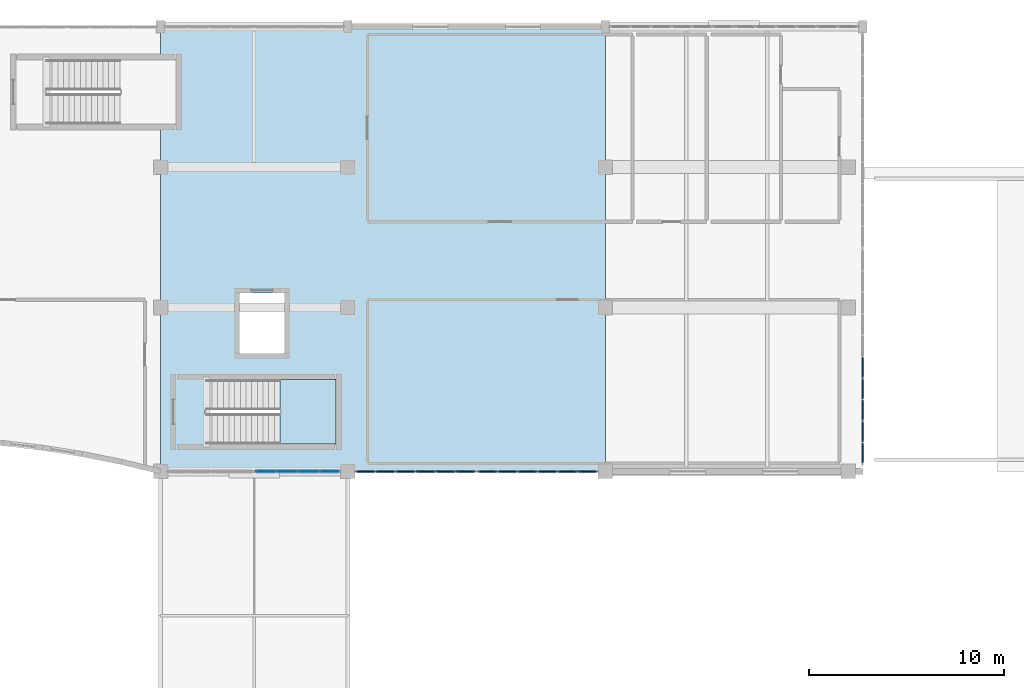
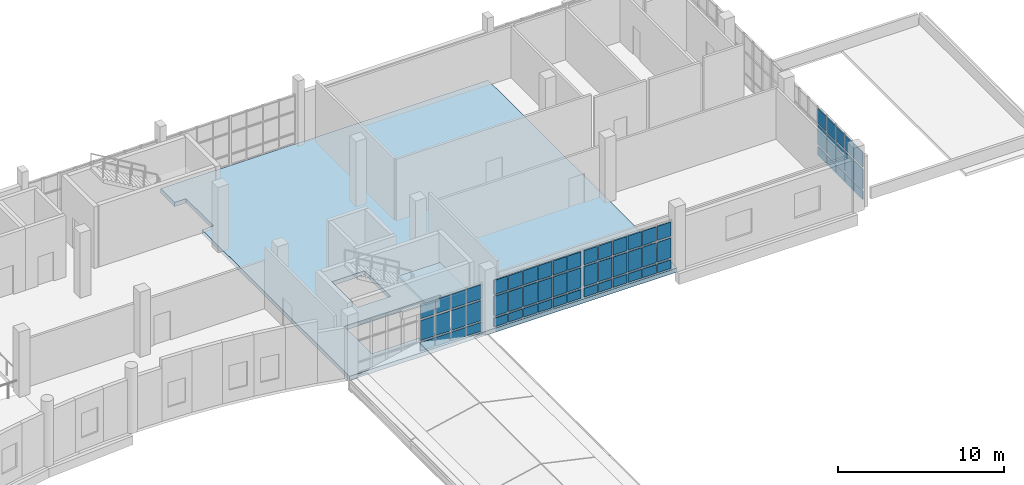
# One storey, part 77 of 106: 63 plates, 2 slabs, 5 elements without a shape of their own.
"""IFC4 building model written with IfcOpenShell, lengths in metres."""

from ifc_helpers import new_model, si_unit, direction, frame, origin, origin_2d, place, context, subcontext, project, spatial, polyline, rectangle, outline, extrude, material, layer, layer_set, type_object, element, aggregate, save


model = new_model("IFC4")

# Units and contexts
model_context = context("Model", 3, precision=1e-05, world=origin(), true_north=direction((0.0, 1.0)))
body_context = subcontext(model_context, "Body", "Model", "MODEL_VIEW")
ifc_project = project(units=[si_unit("LENGTHUNIT", "METRE"), si_unit("AREAUNIT", "SQUARE_METRE"), si_unit("VOLUMEUNIT", "CUBIC_METRE"), si_unit("PLANEANGLEUNIT", "RADIAN"), si_unit("MASSUNIT", "GRAM", prefix="KILO")], contexts=[model_context])

# Site, building, storey
site_placement = place(None, origin())
site = spatial("IfcSite", under=ifc_project, at=site_placement, CompositionType="ELEMENT")
building_placement = place(site_placement, origin())
building = spatial("IfcBuilding", under=site, at=building_placement, Name="Kisaragi Civic Commons", CompositionType="ELEMENT")
storey_placement = place(building_placement, frame((0.0, 0.0, 4.800048828125)))
storey = spatial("IfcBuildingStorey", under=building, at=storey_placement, Name="L01", CompositionType="ELEMENT", Elevation=4.800048828125)

# Curtain wall, plates
ifc_material_1 = material(Name="Thermally broken anodized aluminium and low-E double glazing", Category="aluminium")
ifc_layer_1 = layer(ifc_material_1, 0.179931640625, Name="Thermally broken anodized aluminium and low-E double glazing", Category="aluminium")
ifc_layer_set_1 = layer_set([ifc_layer_1], Name="Thermally broken anodized aluminium and low-E double glazing")
curtain_wall_type = type_object("IfcCurtainWallType", Name="CW-01", PredefinedType="NOTDEFINED", material=ifc_layer_set_1)
curtain_wall_1_placement = place(storey_placement, origin())
curtain_wall_1 = element("IfcCurtainWall", 1, at=curtain_wall_1_placement, inside=storey, type_object=curtain_wall_type, Name="L01 curtain wall CW-01 CW-V4-L01-075", PredefinedType="NOTDEFINED")
ifc_layer_2 = layer(ifc_material_1, 0.0439453125, Name="Thermally broken anodized aluminium and low-E double glazing", Category="aluminium")
ifc_layer_set_2 = layer_set([ifc_layer_2], Name="Thermally broken anodized aluminium and low-E double glazing")
plate_type_1 = type_object("IfcPlateType", Name="CWP-01", PredefinedType="CURTAIN_PANEL", material=ifc_layer_set_2)
plate_1_placement = place(storey_placement, frame((132.24755859375, 96.0, 0.14013671875), z_axis=(0.0, 0.0, 1.0), x_axis=(-1.0, 0.0, 0.0)))
plate_1 = element("IfcPlate", 2, at=plate_1_placement, type_object=plate_type_1, Name="CW-01 panel 1.1", PredefinedType="CURTAIN_PANEL", context=body_context, shape_type="SweptSolid", body=[
    extrude(rectangle(XDim=0.9951171875, YDim=0.0439453125, at=origin_2d()), origin(), (0.0, 0.0, 1.0), 0.639892578125),
])
plate_2_placement = place(storey_placement, frame((132.24755859375, 96.0, 0.919921875), z_axis=(0.0, 0.0, 1.0), x_axis=(-1.0, 0.0, 0.0)))
plate_2 = element("IfcPlate", 3, at=plate_2_placement, type_object=plate_type_1, Name="CW-01 panel 1.2", PredefinedType="CURTAIN_PANEL", context=body_context, shape_type="SweptSolid", body=[
    extrude(rectangle(XDim=0.9951171875, YDim=0.0439453125, at=origin_2d()), origin(), (0.0, 0.0, 1.0), 1.4599609375),
])
plate_3_placement = place(storey_placement, frame((132.24755859375, 96.0, 2.52001953125), z_axis=(0.0, 0.0, 1.0), x_axis=(-1.0, 0.0, 0.0)))
plate_3 = element("IfcPlate", 4, at=plate_3_placement, type_object=plate_type_1, Name="CW-01 panel 1.3", PredefinedType="CURTAIN_PANEL", context=body_context, shape_type="SweptSolid", body=[
    extrude(rectangle(XDim=0.9951171875, YDim=0.0439453125, at=origin_2d()), origin(), (0.0, 0.0, 1.0), 1.044921875),
])
plate_4_placement = place(storey_placement, frame((131.171142578125, 96.0, 0.14013671875), z_axis=(0.0, 0.0, 1.0), x_axis=(-1.0, 0.0, 0.0)))
plate_4 = element("IfcPlate", 5, at=plate_4_placement, type_object=plate_type_1, Name="CW-01 panel 2.1", PredefinedType="CURTAIN_PANEL", context=body_context, shape_type="SweptSolid", body=[
    extrude(rectangle(XDim=1.027587890625, YDim=0.0439453125, at=origin_2d()), origin(), (0.0, 0.0, 1.0), 0.639892578125),
])
plate_5_placement = place(storey_placement, frame((131.171142578125, 96.0, 0.919921875), z_axis=(0.0, 0.0, 1.0), x_axis=(-1.0, 0.0, 0.0)))
plate_5 = element("IfcPlate", 6, at=plate_5_placement, type_object=plate_type_1, Name="CW-01 panel 2.2", PredefinedType="CURTAIN_PANEL", context=body_context, shape_type="SweptSolid", body=[
    extrude(rectangle(XDim=1.027587890625, YDim=0.0439453125, at=origin_2d()), origin(), (0.0, 0.0, 1.0), 1.4599609375),
])
plate_6_placement = place(storey_placement, frame((131.171142578125, 96.0, 2.52001953125), z_axis=(0.0, 0.0, 1.0), x_axis=(-1.0, 0.0, 0.0)))
plate_6 = element("IfcPlate", 7, at=plate_6_placement, type_object=plate_type_1, Name="CW-01 panel 2.3", PredefinedType="CURTAIN_PANEL", context=body_context, shape_type="SweptSolid", body=[
    extrude(rectangle(XDim=1.027587890625, YDim=0.0439453125, at=origin_2d()), origin(), (0.0, 0.0, 1.0), 1.044921875),
])
plate_7_placement = place(storey_placement, frame((130.078857421875, 96.0, 0.14013671875), z_axis=(0.0, 0.0, 1.0), x_axis=(-1.0, 0.0, 0.0)))
plate_7 = element("IfcPlate", 8, at=plate_7_placement, type_object=plate_type_1, Name="CW-01 panel 3.1", PredefinedType="CURTAIN_PANEL", context=body_context, shape_type="SweptSolid", body=[
    extrude(rectangle(XDim=1.027587890625, YDim=0.0439453125, at=origin_2d()), origin(), (0.0, 0.0, 1.0), 0.639892578125),
])
plate_8_placement = place(storey_placement, frame((130.078857421875, 96.0, 0.919921875), z_axis=(0.0, 0.0, 1.0), x_axis=(-1.0, 0.0, 0.0)))
plate_8 = element("IfcPlate", 9, at=plate_8_placement, type_object=plate_type_1, Name="CW-01 panel 3.2", PredefinedType="CURTAIN_PANEL", context=body_context, shape_type="SweptSolid", body=[
    extrude(rectangle(XDim=1.027587890625, YDim=0.0439453125, at=origin_2d()), origin(), (0.0, 0.0, 1.0), 1.4599609375),
])
plate_9_placement = place(storey_placement, frame((130.078857421875, 96.0, 2.52001953125), z_axis=(0.0, 0.0, 1.0), x_axis=(-1.0, 0.0, 0.0)))
plate_9 = element("IfcPlate", 10, at=plate_9_placement, type_object=plate_type_1, Name="CW-01 panel 3.3", PredefinedType="CURTAIN_PANEL", context=body_context, shape_type="SweptSolid", body=[
    extrude(rectangle(XDim=1.027587890625, YDim=0.0439453125, at=origin_2d()), origin(), (0.0, 0.0, 1.0), 1.044921875),
])
plate_10_placement = place(storey_placement, frame((129.00244140625, 96.0, 0.14013671875), z_axis=(0.0, 0.0, 1.0), x_axis=(-1.0, 0.0, 0.0)))
plate_10 = element("IfcPlate", 11, at=plate_10_placement, type_object=plate_type_1, Name="CW-01 panel 4.1", PredefinedType="CURTAIN_PANEL", context=body_context, shape_type="SweptSolid", body=[
    extrude(rectangle(XDim=0.9951171875, YDim=0.0439453125, at=origin_2d()), origin(), (0.0, 0.0, 1.0), 0.639892578125),
])
plate_11_placement = place(storey_placement, frame((129.00244140625, 96.0, 0.919921875), z_axis=(0.0, 0.0, 1.0), x_axis=(-1.0, 0.0, 0.0)))
plate_11 = element("IfcPlate", 12, at=plate_11_placement, type_object=plate_type_1, Name="CW-01 panel 4.2", PredefinedType="CURTAIN_PANEL", context=body_context, shape_type="SweptSolid", body=[
    extrude(rectangle(XDim=0.9951171875, YDim=0.0439453125, at=origin_2d()), origin(), (0.0, 0.0, 1.0), 1.4599609375),
])
plate_12_placement = place(storey_placement, frame((129.00244140625, 96.0, 2.52001953125), z_axis=(0.0, 0.0, 1.0), x_axis=(-1.0, 0.0, 0.0)))
plate_12 = element("IfcPlate", 13, at=plate_12_placement, type_object=plate_type_1, Name="CW-01 panel 4.3", PredefinedType="CURTAIN_PANEL", context=body_context, shape_type="SweptSolid", body=[
    extrude(rectangle(XDim=0.9951171875, YDim=0.0439453125, at=origin_2d()), origin(), (0.0, 0.0, 1.0), 1.044921875),
])
aggregate(curtain_wall_1, [plate_1, plate_2, plate_3, plate_4, plate_5, plate_6, plate_7, plate_8, plate_9, plate_10, plate_11, plate_12])

curtain_wall_2_placement = place(storey_placement, origin())
curtain_wall_2 = element("IfcCurtainWall", 14, at=curtain_wall_2_placement, inside=storey, type_object=curtain_wall_type, Name="L01 curtain wall CW-01 CW-V4-L01-072", PredefinedType="NOTDEFINED")
ifc_layer_3 = layer(ifc_material_1, 0.06201171875, Name="Thermally broken anodized aluminium and low-E double glazing", Category="aluminium")
ifc_layer_set_3 = layer_set([ifc_layer_3], Name="Thermally broken anodized aluminium and low-E double glazing")
plate_type_2 = type_object("IfcPlateType", Name="CWP-16", PredefinedType="CURTAIN_PANEL", material=ifc_layer_set_3)
plate_13_placement = place(storey_placement, frame((159.60009765625, 101.330078125, 0.14013671875), z_axis=(0.0, 0.0, 1.0), x_axis=(0.0, -1.0, 0.0)))
plate_13 = element("IfcPlate", 15, at=plate_13_placement, type_object=plate_type_2, Name="CW-01 panel 6.1", PredefinedType="CURTAIN_PANEL", context=body_context, shape_type="SweptSolid", body=[
    extrude(rectangle(XDim=1.034912109375, YDim=0.06201171875, at=origin_2d()), origin(), (0.0, 0.0, 1.0), 0.639892578125),
])
plate_14_placement = place(storey_placement, frame((159.60009765625, 101.330078125, 0.919921875), z_axis=(0.0, 0.0, 1.0), x_axis=(0.0, -1.0, 0.0)))
plate_14 = element("IfcPlate", 16, at=plate_14_placement, type_object=plate_type_2, Name="CW-01 panel 6.2", PredefinedType="CURTAIN_PANEL", context=body_context, shape_type="SweptSolid", body=[
    extrude(rectangle(XDim=1.034912109375, YDim=0.06201171875, at=origin_2d()), origin(), (0.0, 0.0, 1.0), 1.4599609375),
])
plate_15_placement = place(storey_placement, frame((159.60009765625, 101.330078125, 2.52001953125), z_axis=(0.0, 0.0, 1.0), x_axis=(0.0, -1.0, 0.0)))
plate_15 = element("IfcPlate", 17, at=plate_15_placement, type_object=plate_type_2, Name="CW-01 panel 6.3", PredefinedType="CURTAIN_PANEL", context=body_context, shape_type="SweptSolid", body=[
    extrude(rectangle(XDim=1.034912109375, YDim=0.06201171875, at=origin_2d()), origin(), (0.0, 0.0, 1.0), 1.094970703125),
])
plate_16_placement = place(storey_placement, frame((159.60009765625, 100.22998046875, 0.14013671875), z_axis=(0.0, 0.0, 1.0), x_axis=(0.0, -1.0, 0.0)))
plate_16 = element("IfcPlate", 18, at=plate_16_placement, type_object=plate_type_2, Name="CW-01 panel 7.1", PredefinedType="CURTAIN_PANEL", context=body_context, shape_type="SweptSolid", body=[
    extrude(rectangle(XDim=1.034912109375, YDim=0.06201171875, at=origin_2d()), origin(), (0.0, 0.0, 1.0), 0.639892578125),
])
plate_17_placement = place(storey_placement, frame((159.60009765625, 100.22998046875, 0.919921875), z_axis=(0.0, 0.0, 1.0), x_axis=(0.0, -1.0, 0.0)))
plate_17 = element("IfcPlate", 19, at=plate_17_placement, type_object=plate_type_2, Name="CW-01 panel 7.2", PredefinedType="CURTAIN_PANEL", context=body_context, shape_type="SweptSolid", body=[
    extrude(rectangle(XDim=1.034912109375, YDim=0.06201171875, at=origin_2d()), origin(), (0.0, 0.0, 1.0), 1.4599609375),
])
plate_18_placement = place(storey_placement, frame((159.60009765625, 100.22998046875, 2.52001953125), z_axis=(0.0, 0.0, 1.0), x_axis=(0.0, -1.0, 0.0)))
plate_18 = element("IfcPlate", 20, at=plate_18_placement, type_object=plate_type_2, Name="CW-01 panel 7.3", PredefinedType="CURTAIN_PANEL", context=body_context, shape_type="SweptSolid", body=[
    extrude(rectangle(XDim=1.034912109375, YDim=0.06201171875, at=origin_2d()), origin(), (0.0, 0.0, 1.0), 1.094970703125),
])
plate_19_placement = place(storey_placement, frame((159.60009765625, 99.1298828125, 0.14013671875), z_axis=(0.0, 0.0, 1.0), x_axis=(0.0, -1.0, 0.0)))
plate_19 = element("IfcPlate", 21, at=plate_19_placement, type_object=plate_type_2, Name="CW-01 panel 8.1", PredefinedType="CURTAIN_PANEL", context=body_context, shape_type="SweptSolid", body=[
    extrude(rectangle(XDim=1.034912109375, YDim=0.06201171875, at=origin_2d()), origin(), (0.0, 0.0, 1.0), 0.639892578125),
])
plate_20_placement = place(storey_placement, frame((159.60009765625, 99.1298828125, 0.919921875), z_axis=(0.0, 0.0, 1.0), x_axis=(0.0, -1.0, 0.0)))
plate_20 = element("IfcPlate", 22, at=plate_20_placement, type_object=plate_type_2, Name="CW-01 panel 8.2", PredefinedType="CURTAIN_PANEL", context=body_context, shape_type="SweptSolid", body=[
    extrude(rectangle(XDim=1.034912109375, YDim=0.06201171875, at=origin_2d()), origin(), (0.0, 0.0, 1.0), 1.4599609375),
])
plate_21_placement = place(storey_placement, frame((159.60009765625, 99.1298828125, 2.52001953125), z_axis=(0.0, 0.0, 1.0), x_axis=(0.0, -1.0, 0.0)))
plate_21 = element("IfcPlate", 23, at=plate_21_placement, type_object=plate_type_2, Name="CW-01 panel 8.3", PredefinedType="CURTAIN_PANEL", context=body_context, shape_type="SweptSolid", body=[
    extrude(rectangle(XDim=1.034912109375, YDim=0.06201171875, at=origin_2d()), origin(), (0.0, 0.0, 1.0), 1.094970703125),
])
plate_22_placement = place(storey_placement, frame((159.60009765625, 98.030029296875, 0.14013671875), z_axis=(0.0, 0.0, 1.0), x_axis=(0.0, -1.0, 0.0)))
plate_22 = element("IfcPlate", 24, at=plate_22_placement, type_object=plate_type_2, Name="CW-01 panel 9.1", PredefinedType="CURTAIN_PANEL", context=body_context, shape_type="SweptSolid", body=[
    extrude(rectangle(XDim=1.034912109375, YDim=0.06201171875, at=origin_2d()), origin(), (0.0, 0.0, 1.0), 0.639892578125),
])
plate_23_placement = place(storey_placement, frame((159.60009765625, 98.030029296875, 0.919921875), z_axis=(0.0, 0.0, 1.0), x_axis=(0.0, -1.0, 0.0)))
plate_23 = element("IfcPlate", 25, at=plate_23_placement, type_object=plate_type_2, Name="CW-01 panel 9.2", PredefinedType="CURTAIN_PANEL", context=body_context, shape_type="SweptSolid", body=[
    extrude(rectangle(XDim=1.034912109375, YDim=0.06201171875, at=origin_2d()), origin(), (0.0, 0.0, 1.0), 1.4599609375),
])
plate_24_placement = place(storey_placement, frame((159.60009765625, 98.030029296875, 2.52001953125), z_axis=(0.0, 0.0, 1.0), x_axis=(0.0, -1.0, 0.0)))
plate_24 = element("IfcPlate", 26, at=plate_24_placement, type_object=plate_type_2, Name="CW-01 panel 9.3", PredefinedType="CURTAIN_PANEL", context=body_context, shape_type="SweptSolid", body=[
    extrude(rectangle(XDim=1.034912109375, YDim=0.06201171875, at=origin_2d()), origin(), (0.0, 0.0, 1.0), 1.094970703125),
])
plate_25_placement = place(storey_placement, frame((159.60009765625, 96.9462890625, 0.14013671875), z_axis=(0.0, 0.0, 1.0), x_axis=(0.0, -1.0, 0.0)))
plate_25 = element("IfcPlate", 27, at=plate_25_placement, type_object=plate_type_2, Name="CW-01 panel 10.1", PredefinedType="CURTAIN_PANEL", context=body_context, shape_type="SweptSolid", body=[
    extrude(rectangle(XDim=1.00244140625, YDim=0.06201171875, at=origin_2d()), origin(), (0.0, 0.0, 1.0), 0.639892578125),
])
plate_26_placement = place(storey_placement, frame((159.60009765625, 96.9462890625, 0.919921875), z_axis=(0.0, 0.0, 1.0), x_axis=(0.0, -1.0, 0.0)))
plate_26 = element("IfcPlate", 28, at=plate_26_placement, type_object=plate_type_2, Name="CW-01 panel 10.2", PredefinedType="CURTAIN_PANEL", context=body_context, shape_type="SweptSolid", body=[
    extrude(rectangle(XDim=1.00244140625, YDim=0.06201171875, at=origin_2d()), origin(), (0.0, 0.0, 1.0), 1.4599609375),
])
plate_27_placement = place(storey_placement, frame((159.60009765625, 96.9462890625, 2.52001953125), z_axis=(0.0, 0.0, 1.0), x_axis=(0.0, -1.0, 0.0)))
plate_27 = element("IfcPlate", 29, at=plate_27_placement, type_object=plate_type_2, Name="CW-01 panel 10.3", PredefinedType="CURTAIN_PANEL", context=body_context, shape_type="SweptSolid", body=[
    extrude(rectangle(XDim=1.00244140625, YDim=0.06201171875, at=origin_2d()), origin(), (0.0, 0.0, 1.0), 1.094970703125),
])
aggregate(curtain_wall_2, [plate_13, plate_14, plate_15, plate_16, plate_17, plate_18, plate_19, plate_20, plate_21, plate_22, plate_23, plate_24, plate_25, plate_26, plate_27])

curtain_wall_3_placement = place(storey_placement, origin())
curtain_wall_3 = element("IfcCurtainWall", 30, at=curtain_wall_3_placement, inside=storey, type_object=curtain_wall_type, Name="L01 curtain wall CW-01 CW-V4-L01-073", PredefinedType="NOTDEFINED")
ifc_layer_4 = layer(ifc_material_1, 0.070068359375, Name="Thermally broken anodized aluminium and low-E double glazing", Category="aluminium")
ifc_layer_set_4 = layer_set([ifc_layer_4], Name="Thermally broken anodized aluminium and low-E double glazing")
plate_type_3 = type_object("IfcPlateType", Name="CWP-17", PredefinedType="CURTAIN_PANEL", material=ifc_layer_set_4)
plate_28_placement = place(storey_placement, frame((145.4794921875, 96.0, 0.14013671875), z_axis=(0.0, 0.0, 1.0), x_axis=(-1.0, 0.0, 0.0)))
plate_28 = element("IfcPlate", 31, at=plate_28_placement, type_object=plate_type_3, Name="CW-01 panel 1.1", PredefinedType="CURTAIN_PANEL", context=body_context, shape_type="SweptSolid", body=[
    extrude(rectangle(XDim=0.930908203125, YDim=0.070068359375, at=origin_2d()), origin(), (0.0, 0.0, 1.0), 0.639892578125),
])
plate_29_placement = place(storey_placement, frame((145.4794921875, 96.0, 0.919921875), z_axis=(0.0, 0.0, 1.0), x_axis=(-1.0, 0.0, 0.0)))
plate_29 = element("IfcPlate", 32, at=plate_29_placement, type_object=plate_type_3, Name="CW-01 panel 1.2", PredefinedType="CURTAIN_PANEL", context=body_context, shape_type="SweptSolid", body=[
    extrude(rectangle(XDim=0.930908203125, YDim=0.070068359375, at=origin_2d()), origin(), (0.0, 0.0, 1.0), 1.4599609375),
])
plate_30_placement = place(storey_placement, frame((145.4794921875, 96.0, 2.52001953125), z_axis=(0.0, 0.0, 1.0), x_axis=(-1.0, 0.0, 0.0)))
plate_30 = element("IfcPlate", 33, at=plate_30_placement, type_object=plate_type_3, Name="CW-01 panel 1.3", PredefinedType="CURTAIN_PANEL", context=body_context, shape_type="SweptSolid", body=[
    extrude(rectangle(XDim=0.930908203125, YDim=0.070068359375, at=origin_2d()), origin(), (0.0, 0.0, 1.0), 1.044921875),
])
plate_31_placement = place(storey_placement, frame((144.467529296875, 96.0, 0.14013671875), z_axis=(0.0, 0.0, 1.0), x_axis=(-1.0, 0.0, 0.0)))
plate_31 = element("IfcPlate", 34, at=plate_31_placement, type_object=plate_type_3, Name="CW-01 panel 2.1", PredefinedType="CURTAIN_PANEL", context=body_context, shape_type="SweptSolid", body=[
    extrude(rectangle(XDim=0.96337890625, YDim=0.070068359375, at=origin_2d()), origin(), (0.0, 0.0, 1.0), 0.639892578125),
])
plate_32_placement = place(storey_placement, frame((144.467529296875, 96.0, 0.919921875), z_axis=(0.0, 0.0, 1.0), x_axis=(-1.0, 0.0, 0.0)))
plate_32 = element("IfcPlate", 35, at=plate_32_placement, type_object=plate_type_3, Name="CW-01 panel 2.2", PredefinedType="CURTAIN_PANEL", context=body_context, shape_type="SweptSolid", body=[
    extrude(rectangle(XDim=0.96337890625, YDim=0.070068359375, at=origin_2d()), origin(), (0.0, 0.0, 1.0), 1.4599609375),
])
plate_33_placement = place(storey_placement, frame((144.467529296875, 96.0, 2.52001953125), z_axis=(0.0, 0.0, 1.0), x_axis=(-1.0, 0.0, 0.0)))
plate_33 = element("IfcPlate", 36, at=plate_33_placement, type_object=plate_type_3, Name="CW-01 panel 2.3", PredefinedType="CURTAIN_PANEL", context=body_context, shape_type="SweptSolid", body=[
    extrude(rectangle(XDim=0.96337890625, YDim=0.070068359375, at=origin_2d()), origin(), (0.0, 0.0, 1.0), 1.044921875),
])
plate_34_placement = place(storey_placement, frame((143.439208984375, 96.0, 0.14013671875), z_axis=(0.0, 0.0, 1.0), x_axis=(-1.0, 0.0, 0.0)))
plate_34 = element("IfcPlate", 37, at=plate_34_placement, type_object=plate_type_3, Name="CW-01 panel 3.1", PredefinedType="CURTAIN_PANEL", context=body_context, shape_type="SweptSolid", body=[
    extrude(rectangle(XDim=0.96337890625, YDim=0.070068359375, at=origin_2d()), origin(), (0.0, 0.0, 1.0), 0.639892578125),
])
plate_35_placement = place(storey_placement, frame((143.439208984375, 96.0, 0.919921875), z_axis=(0.0, 0.0, 1.0), x_axis=(-1.0, 0.0, 0.0)))
plate_35 = element("IfcPlate", 38, at=plate_35_placement, type_object=plate_type_3, Name="CW-01 panel 3.2", PredefinedType="CURTAIN_PANEL", context=body_context, shape_type="SweptSolid", body=[
    extrude(rectangle(XDim=0.96337890625, YDim=0.070068359375, at=origin_2d()), origin(), (0.0, 0.0, 1.0), 1.4599609375),
])
plate_36_placement = place(storey_placement, frame((143.439208984375, 96.0, 2.52001953125), z_axis=(0.0, 0.0, 1.0), x_axis=(-1.0, 0.0, 0.0)))
plate_36 = element("IfcPlate", 39, at=plate_36_placement, type_object=plate_type_3, Name="CW-01 panel 3.3", PredefinedType="CURTAIN_PANEL", context=body_context, shape_type="SweptSolid", body=[
    extrude(rectangle(XDim=0.96337890625, YDim=0.070068359375, at=origin_2d()), origin(), (0.0, 0.0, 1.0), 1.044921875),
])
plate_37_placement = place(storey_placement, frame((142.410888671875, 96.0, 0.14013671875), z_axis=(0.0, 0.0, 1.0), x_axis=(-1.0, 0.0, 0.0)))
plate_37 = element("IfcPlate", 40, at=plate_37_placement, type_object=plate_type_3, Name="CW-01 panel 4.1", PredefinedType="CURTAIN_PANEL", context=body_context, shape_type="SweptSolid", body=[
    extrude(rectangle(XDim=0.96337890625, YDim=0.070068359375, at=origin_2d()), origin(), (0.0, 0.0, 1.0), 0.639892578125),
])
plate_38_placement = place(storey_placement, frame((142.410888671875, 96.0, 0.919921875), z_axis=(0.0, 0.0, 1.0), x_axis=(-1.0, 0.0, 0.0)))
plate_38 = element("IfcPlate", 41, at=plate_38_placement, type_object=plate_type_3, Name="CW-01 panel 4.2", PredefinedType="CURTAIN_PANEL", context=body_context, shape_type="SweptSolid", body=[
    extrude(rectangle(XDim=0.96337890625, YDim=0.070068359375, at=origin_2d()), origin(), (0.0, 0.0, 1.0), 1.4599609375),
])
plate_39_placement = place(storey_placement, frame((142.410888671875, 96.0, 2.52001953125), z_axis=(0.0, 0.0, 1.0), x_axis=(-1.0, 0.0, 0.0)))
plate_39 = element("IfcPlate", 42, at=plate_39_placement, type_object=plate_type_3, Name="CW-01 panel 4.3", PredefinedType="CURTAIN_PANEL", context=body_context, shape_type="SweptSolid", body=[
    extrude(rectangle(XDim=0.96337890625, YDim=0.070068359375, at=origin_2d()), origin(), (0.0, 0.0, 1.0), 1.044921875),
])
plate_40_placement = place(storey_placement, frame((141.382568359375, 96.0, 0.14013671875), z_axis=(0.0, 0.0, 1.0), x_axis=(-1.0, 0.0, 0.0)))
plate_40 = element("IfcPlate", 43, at=plate_40_placement, type_object=plate_type_3, Name="CW-01 panel 5.1", PredefinedType="CURTAIN_PANEL", context=body_context, shape_type="SweptSolid", body=[
    extrude(rectangle(XDim=0.96337890625, YDim=0.070068359375, at=origin_2d()), origin(), (0.0, 0.0, 1.0), 0.639892578125),
])
plate_41_placement = place(storey_placement, frame((141.382568359375, 96.0, 0.919921875), z_axis=(0.0, 0.0, 1.0), x_axis=(-1.0, 0.0, 0.0)))
plate_41 = element("IfcPlate", 44, at=plate_41_placement, type_object=plate_type_3, Name="CW-01 panel 5.2", PredefinedType="CURTAIN_PANEL", context=body_context, shape_type="SweptSolid", body=[
    extrude(rectangle(XDim=0.96337890625, YDim=0.070068359375, at=origin_2d()), origin(), (0.0, 0.0, 1.0), 1.4599609375),
])
plate_42_placement = place(storey_placement, frame((141.382568359375, 96.0, 2.52001953125), z_axis=(0.0, 0.0, 1.0), x_axis=(-1.0, 0.0, 0.0)))
plate_42 = element("IfcPlate", 45, at=plate_42_placement, type_object=plate_type_3, Name="CW-01 panel 5.3", PredefinedType="CURTAIN_PANEL", context=body_context, shape_type="SweptSolid", body=[
    extrude(rectangle(XDim=0.96337890625, YDim=0.070068359375, at=origin_2d()), origin(), (0.0, 0.0, 1.0), 1.044921875),
])
plate_43_placement = place(storey_placement, frame((140.370361328125, 96.0, 0.14013671875), z_axis=(0.0, 0.0, 1.0), x_axis=(-1.0, 0.0, 0.0)))
plate_43 = element("IfcPlate", 46, at=plate_43_placement, type_object=plate_type_3, Name="CW-01 panel 6.1", PredefinedType="CURTAIN_PANEL", context=body_context, shape_type="SweptSolid", body=[
    extrude(rectangle(XDim=0.930908203125, YDim=0.070068359375, at=origin_2d()), origin(), (0.0, 0.0, 1.0), 0.639892578125),
])
plate_44_placement = place(storey_placement, frame((140.370361328125, 96.0, 0.919921875), z_axis=(0.0, 0.0, 1.0), x_axis=(-1.0, 0.0, 0.0)))
plate_44 = element("IfcPlate", 47, at=plate_44_placement, type_object=plate_type_3, Name="CW-01 panel 6.2", PredefinedType="CURTAIN_PANEL", context=body_context, shape_type="SweptSolid", body=[
    extrude(rectangle(XDim=0.930908203125, YDim=0.070068359375, at=origin_2d()), origin(), (0.0, 0.0, 1.0), 1.4599609375),
])
plate_45_placement = place(storey_placement, frame((140.370361328125, 96.0, 2.52001953125), z_axis=(0.0, 0.0, 1.0), x_axis=(-1.0, 0.0, 0.0)))
plate_45 = element("IfcPlate", 48, at=plate_45_placement, type_object=plate_type_3, Name="CW-01 panel 6.3", PredefinedType="CURTAIN_PANEL", context=body_context, shape_type="SweptSolid", body=[
    extrude(rectangle(XDim=0.930908203125, YDim=0.070068359375, at=origin_2d()), origin(), (0.0, 0.0, 1.0), 1.044921875),
])
aggregate(curtain_wall_3, [plate_28, plate_29, plate_30, plate_31, plate_32, plate_33, plate_34, plate_35, plate_36, plate_37, plate_38, plate_39, plate_40, plate_41, plate_42, plate_43, plate_44, plate_45])

curtain_wall_4_placement = place(storey_placement, origin())
curtain_wall_4 = element("IfcCurtainWall", 49, at=curtain_wall_4_placement, inside=storey, type_object=curtain_wall_type, Name="L01 curtain wall CW-01 CW-V4-L01-074", PredefinedType="NOTDEFINED")
ifc_layer_5 = layer(ifc_material_1, 0.077880859375, Name="Thermally broken anodized aluminium and low-E double glazing", Category="aluminium")
ifc_layer_set_5 = layer_set([ifc_layer_5], Name="Thermally broken anodized aluminium and low-E double glazing")
plate_type_4 = type_object("IfcPlateType", Name="CWP-18", PredefinedType="CURTAIN_PANEL", material=ifc_layer_set_5)
plate_46_placement = place(storey_placement, frame((139.2294921875, 96.0, 0.14013671875), z_axis=(0.0, 0.0, 1.0), x_axis=(-1.0, 0.0, 0.0)))
plate_46 = element("IfcPlate", 50, at=plate_46_placement, type_object=plate_type_4, Name="CW-01 panel 1.1", PredefinedType="CURTAIN_PANEL", context=body_context, shape_type="SweptSolid", body=[
    extrude(rectangle(XDim=0.930908203125, YDim=0.077880859375, at=origin_2d()), origin(), (0.0, 0.0, 1.0), 0.639892578125),
])
plate_47_placement = place(storey_placement, frame((139.2294921875, 96.0, 0.919921875), z_axis=(0.0, 0.0, 1.0), x_axis=(-1.0, 0.0, 0.0)))
plate_47 = element("IfcPlate", 51, at=plate_47_placement, type_object=plate_type_4, Name="CW-01 panel 1.2", PredefinedType="CURTAIN_PANEL", context=body_context, shape_type="SweptSolid", body=[
    extrude(rectangle(XDim=0.930908203125, YDim=0.077880859375, at=origin_2d()), origin(), (0.0, 0.0, 1.0), 1.4599609375),
])
plate_48_placement = place(storey_placement, frame((139.2294921875, 96.0, 2.52001953125), z_axis=(0.0, 0.0, 1.0), x_axis=(-1.0, 0.0, 0.0)))
plate_48 = element("IfcPlate", 52, at=plate_48_placement, type_object=plate_type_4, Name="CW-01 panel 1.3", PredefinedType="CURTAIN_PANEL", context=body_context, shape_type="SweptSolid", body=[
    extrude(rectangle(XDim=0.930908203125, YDim=0.077880859375, at=origin_2d()), origin(), (0.0, 0.0, 1.0), 1.044921875),
])
plate_49_placement = place(storey_placement, frame((138.217529296875, 96.0, 0.14013671875), z_axis=(0.0, 0.0, 1.0), x_axis=(-1.0, 0.0, 0.0)))
plate_49 = element("IfcPlate", 53, at=plate_49_placement, type_object=plate_type_4, Name="CW-01 panel 2.1", PredefinedType="CURTAIN_PANEL", context=body_context, shape_type="SweptSolid", body=[
    extrude(rectangle(XDim=0.96337890625, YDim=0.077880859375, at=origin_2d()), origin(), (0.0, 0.0, 1.0), 0.639892578125),
])
plate_50_placement = place(storey_placement, frame((138.217529296875, 96.0, 0.919921875), z_axis=(0.0, 0.0, 1.0), x_axis=(-1.0, 0.0, 0.0)))
plate_50 = element("IfcPlate", 54, at=plate_50_placement, type_object=plate_type_4, Name="CW-01 panel 2.2", PredefinedType="CURTAIN_PANEL", context=body_context, shape_type="SweptSolid", body=[
    extrude(rectangle(XDim=0.96337890625, YDim=0.077880859375, at=origin_2d()), origin(), (0.0, 0.0, 1.0), 1.4599609375),
])
plate_51_placement = place(storey_placement, frame((138.217529296875, 96.0, 2.52001953125), z_axis=(0.0, 0.0, 1.0), x_axis=(-1.0, 0.0, 0.0)))
plate_51 = element("IfcPlate", 55, at=plate_51_placement, type_object=plate_type_4, Name="CW-01 panel 2.3", PredefinedType="CURTAIN_PANEL", context=body_context, shape_type="SweptSolid", body=[
    extrude(rectangle(XDim=0.96337890625, YDim=0.077880859375, at=origin_2d()), origin(), (0.0, 0.0, 1.0), 1.044921875),
])
plate_52_placement = place(storey_placement, frame((137.189208984375, 96.0, 0.14013671875), z_axis=(0.0, 0.0, 1.0), x_axis=(-1.0, 0.0, 0.0)))
plate_52 = element("IfcPlate", 56, at=plate_52_placement, type_object=plate_type_4, Name="CW-01 panel 3.1", PredefinedType="CURTAIN_PANEL", context=body_context, shape_type="SweptSolid", body=[
    extrude(rectangle(XDim=0.96337890625, YDim=0.077880859375, at=origin_2d()), origin(), (0.0, 0.0, 1.0), 0.639892578125),
])
plate_53_placement = place(storey_placement, frame((137.189208984375, 96.0, 0.919921875), z_axis=(0.0, 0.0, 1.0), x_axis=(-1.0, 0.0, 0.0)))
plate_53 = element("IfcPlate", 57, at=plate_53_placement, type_object=plate_type_4, Name="CW-01 panel 3.2", PredefinedType="CURTAIN_PANEL", context=body_context, shape_type="SweptSolid", body=[
    extrude(rectangle(XDim=0.96337890625, YDim=0.077880859375, at=origin_2d()), origin(), (0.0, 0.0, 1.0), 1.4599609375),
])
plate_54_placement = place(storey_placement, frame((137.189208984375, 96.0, 2.52001953125), z_axis=(0.0, 0.0, 1.0), x_axis=(-1.0, 0.0, 0.0)))
plate_54 = element("IfcPlate", 58, at=plate_54_placement, type_object=plate_type_4, Name="CW-01 panel 3.3", PredefinedType="CURTAIN_PANEL", context=body_context, shape_type="SweptSolid", body=[
    extrude(rectangle(XDim=0.96337890625, YDim=0.077880859375, at=origin_2d()), origin(), (0.0, 0.0, 1.0), 1.044921875),
])
plate_55_placement = place(storey_placement, frame((136.160888671875, 96.0, 0.14013671875), z_axis=(0.0, 0.0, 1.0), x_axis=(-1.0, 0.0, 0.0)))
plate_55 = element("IfcPlate", 59, at=plate_55_placement, type_object=plate_type_4, Name="CW-01 panel 4.1", PredefinedType="CURTAIN_PANEL", context=body_context, shape_type="SweptSolid", body=[
    extrude(rectangle(XDim=0.96337890625, YDim=0.077880859375, at=origin_2d()), origin(), (0.0, 0.0, 1.0), 0.639892578125),
])
plate_56_placement = place(storey_placement, frame((136.160888671875, 96.0, 0.919921875), z_axis=(0.0, 0.0, 1.0), x_axis=(-1.0, 0.0, 0.0)))
plate_56 = element("IfcPlate", 60, at=plate_56_placement, type_object=plate_type_4, Name="CW-01 panel 4.2", PredefinedType="CURTAIN_PANEL", context=body_context, shape_type="SweptSolid", body=[
    extrude(rectangle(XDim=0.96337890625, YDim=0.077880859375, at=origin_2d()), origin(), (0.0, 0.0, 1.0), 1.4599609375),
])
plate_57_placement = place(storey_placement, frame((136.160888671875, 96.0, 2.52001953125), z_axis=(0.0, 0.0, 1.0), x_axis=(-1.0, 0.0, 0.0)))
plate_57 = element("IfcPlate", 61, at=plate_57_placement, type_object=plate_type_4, Name="CW-01 panel 4.3", PredefinedType="CURTAIN_PANEL", context=body_context, shape_type="SweptSolid", body=[
    extrude(rectangle(XDim=0.96337890625, YDim=0.077880859375, at=origin_2d()), origin(), (0.0, 0.0, 1.0), 1.044921875),
])
plate_58_placement = place(storey_placement, frame((135.132568359375, 96.0, 0.14013671875), z_axis=(0.0, 0.0, 1.0), x_axis=(-1.0, 0.0, 0.0)))
plate_58 = element("IfcPlate", 62, at=plate_58_placement, type_object=plate_type_4, Name="CW-01 panel 5.1", PredefinedType="CURTAIN_PANEL", context=body_context, shape_type="SweptSolid", body=[
    extrude(rectangle(XDim=0.96337890625, YDim=0.077880859375, at=origin_2d()), origin(), (0.0, 0.0, 1.0), 0.639892578125),
])
plate_59_placement = place(storey_placement, frame((135.132568359375, 96.0, 0.919921875), z_axis=(0.0, 0.0, 1.0), x_axis=(-1.0, 0.0, 0.0)))
plate_59 = element("IfcPlate", 63, at=plate_59_placement, type_object=plate_type_4, Name="CW-01 panel 5.2", PredefinedType="CURTAIN_PANEL", context=body_context, shape_type="SweptSolid", body=[
    extrude(rectangle(XDim=0.96337890625, YDim=0.077880859375, at=origin_2d()), origin(), (0.0, 0.0, 1.0), 1.4599609375),
])
plate_60_placement = place(storey_placement, frame((135.132568359375, 96.0, 2.52001953125), z_axis=(0.0, 0.0, 1.0), x_axis=(-1.0, 0.0, 0.0)))
plate_60 = element("IfcPlate", 64, at=plate_60_placement, type_object=plate_type_4, Name="CW-01 panel 5.3", PredefinedType="CURTAIN_PANEL", context=body_context, shape_type="SweptSolid", body=[
    extrude(rectangle(XDim=0.96337890625, YDim=0.077880859375, at=origin_2d()), origin(), (0.0, 0.0, 1.0), 1.044921875),
])
plate_61_placement = place(storey_placement, frame((134.120361328125, 96.0, 0.14013671875), z_axis=(0.0, 0.0, 1.0), x_axis=(-1.0, 0.0, 0.0)))
plate_61 = element("IfcPlate", 65, at=plate_61_placement, type_object=plate_type_4, Name="CW-01 panel 6.1", PredefinedType="CURTAIN_PANEL", context=body_context, shape_type="SweptSolid", body=[
    extrude(rectangle(XDim=0.930908203125, YDim=0.077880859375, at=origin_2d()), origin(), (0.0, 0.0, 1.0), 0.639892578125),
])
plate_62_placement = place(storey_placement, frame((134.120361328125, 96.0, 0.919921875), z_axis=(0.0, 0.0, 1.0), x_axis=(-1.0, 0.0, 0.0)))
plate_62 = element("IfcPlate", 66, at=plate_62_placement, type_object=plate_type_4, Name="CW-01 panel 6.2", PredefinedType="CURTAIN_PANEL", context=body_context, shape_type="SweptSolid", body=[
    extrude(rectangle(XDim=0.930908203125, YDim=0.077880859375, at=origin_2d()), origin(), (0.0, 0.0, 1.0), 1.4599609375),
])
plate_63_placement = place(storey_placement, frame((134.120361328125, 96.0, 2.52001953125), z_axis=(0.0, 0.0, 1.0), x_axis=(-1.0, 0.0, 0.0)))
plate_63 = element("IfcPlate", 67, at=plate_63_placement, type_object=plate_type_4, Name="CW-01 panel 6.3", PredefinedType="CURTAIN_PANEL", context=body_context, shape_type="SweptSolid", body=[
    extrude(rectangle(XDim=0.930908203125, YDim=0.077880859375, at=origin_2d()), origin(), (0.0, 0.0, 1.0), 1.044921875),
])
aggregate(curtain_wall_4, [plate_46, plate_47, plate_48, plate_49, plate_50, plate_51, plate_52, plate_53, plate_54, plate_55, plate_56, plate_57, plate_58, plate_59, plate_60, plate_61, plate_62, plate_63])

# Slab
ifc_material_2 = material(Name="Concrete Fc30", Category="concrete")
ifc_layer_6 = layer(ifc_material_2, 0.304931640625, Name="Concrete Fc30", Category="concrete")
ifc_layer_set_6 = layer_set([ifc_layer_6], Name="Concrete Fc30")
slab_type_1 = type_object("IfcSlabType", Name="SL-F1", PredefinedType="FLOOR", material=ifc_layer_set_6)
slab_1_placement = place(storey_placement, frame((0.0, 0.0, -0.304931640625)))
element("IfcSlab", 68, at=slab_1_placement, inside=storey, type_object=slab_type_1, Name="V4 L01 slab SL-F1 44", PredefinedType="FLOOR", context=body_context, shape_type="SweptSolid", body=[
    extrude(outline(polyline([(123.60009765625, 118.800048828125), (123.60009765625, 117.10009765625), (124.39990234375, 117.10009765625), (124.39990234375, 113.800048828125), (123.60009765625, 113.800048828125), (123.60009765625, 96.0), (146.39990234375, 96.0), (146.39990234375, 118.800048828125), (123.60009765625, 118.800048828125)]), holes=[polyline([(125.949951171875, 100.699951171875), (125.949951171875, 97.39990234375), (132.60009765625, 97.39990234375), (132.60009765625, 100.699951171875), (125.949951171875, 100.699951171875)]), polyline([(127.64990234375, 105.14990234375), (127.64990234375, 102.050048828125), (129.949951171875, 102.050048828125), (129.949951171875, 105.14990234375), (127.64990234375, 105.14990234375)])]), origin(), (0.0, 0.0, 1.0), 0.304931640625),
])

# Stair, slab
stair_type = type_object("IfcStairType", Name="ST-A", PredefinedType="HALF_TURN_STAIR", material=ifc_material_2)
stair_placement = place(storey_placement, origin())
stair = element("IfcStair", 69, at=stair_placement, inside=storey, type_object=stair_type, Name="L01 Stair ST-L3", PredefinedType="HALF_TURN_STAIR")
ifc_layer_7 = layer(ifc_material_2, 0.199951171875, Name="Concrete Fc30", Category="concrete")
ifc_layer_set_7 = layer_set([ifc_layer_7], Name="Concrete Fc30")
slab_type_2 = type_object("IfcSlabType", Name="STL-01", PredefinedType="LANDING", material=ifc_layer_set_7)
slab_2_placement = place(storey_placement, frame((0.0, 0.0, 2.199951171875)))
slab_2 = element("IfcSlab", 70, at=slab_2_placement, type_object=slab_type_2, Name="ST-L3 landing 1", PredefinedType="LANDING", context=body_context, shape_type="SweptSolid", body=[
    extrude(outline(polyline([(129.719970703125, 97.39990234375), (132.60009765625, 97.39990234375), (132.60009765625, 100.699951171875), (129.719970703125, 100.699951171875), (129.719970703125, 97.39990234375)])), origin(), (0.0, 0.0, 1.0), 0.199951171875),
])
aggregate(stair, [slab_2])

save(model, "model.ifc")
